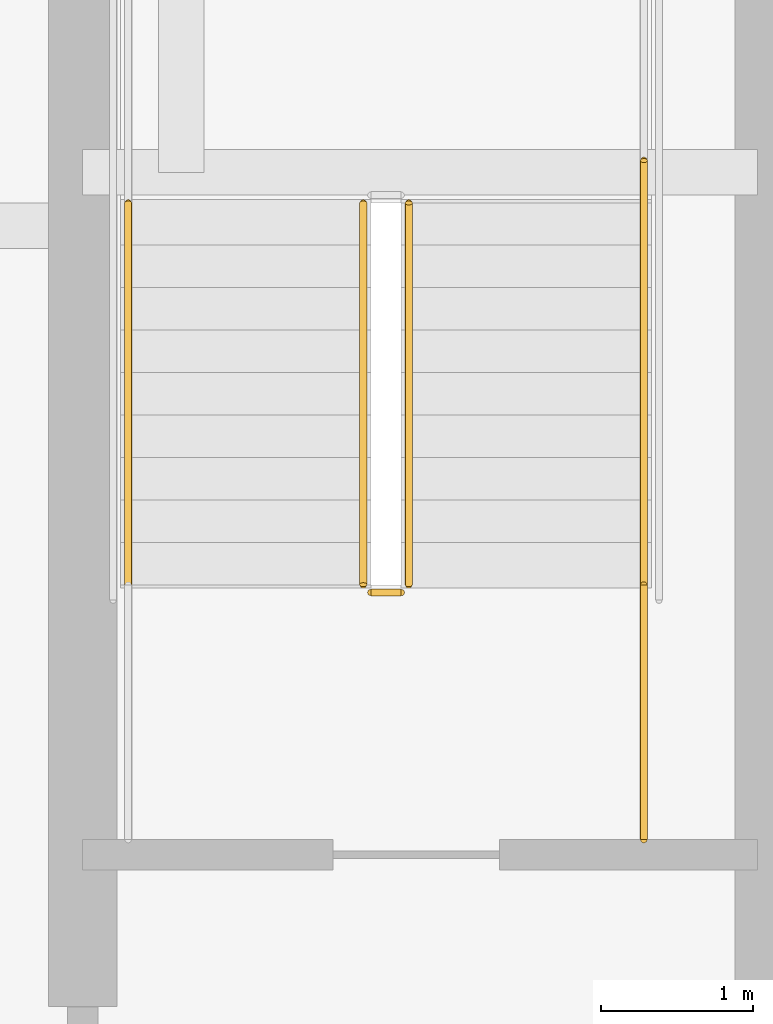
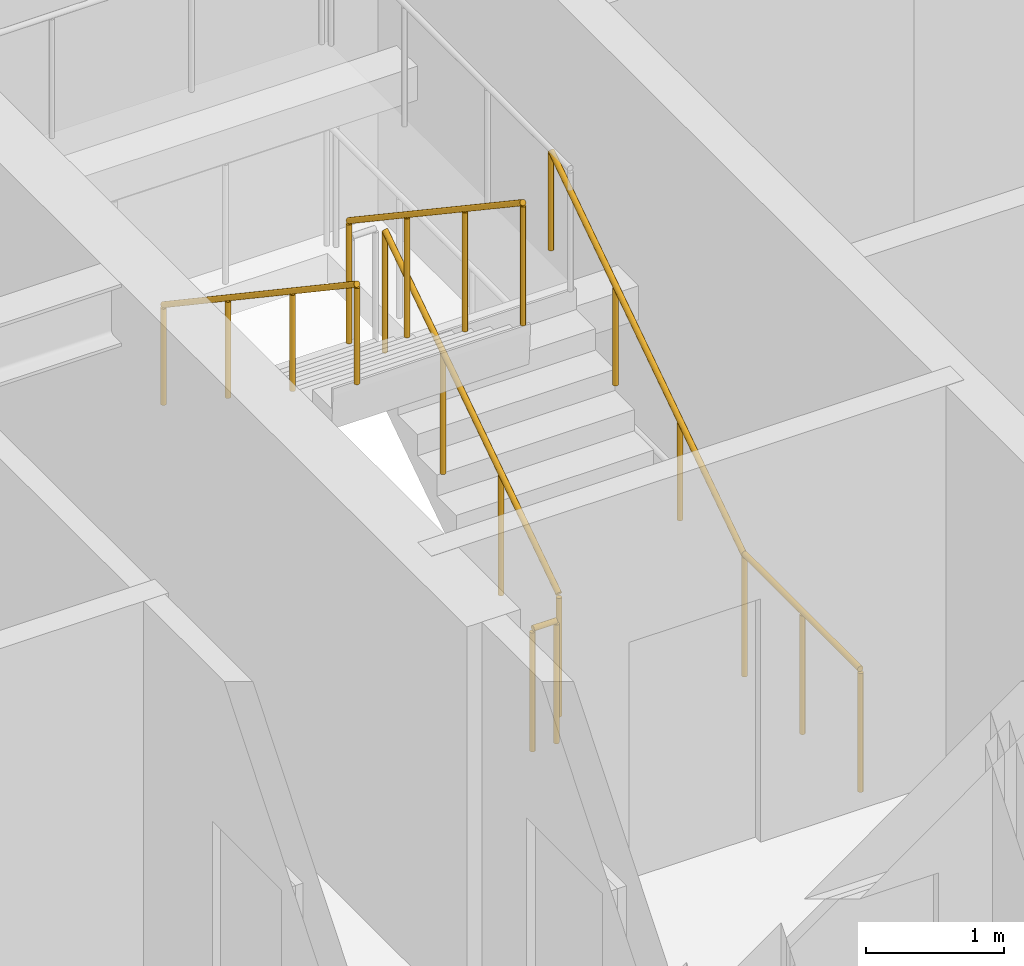
# One storey, part 35 of 39: 6 railings.
"""IFC4 building model written with IfcOpenShell, lengths in metres."""

from ifc_helpers import new_model, si_unit, direction, frame, origin, origin_2d, place, context, subcontext, project, spatial, circle, extrude, material, type_object, element, save


model = new_model("IFC4")

# Units and contexts
model_context = context("Model", 3, precision=1e-05, world=origin(), true_north=direction((0.0, 1.0)))
body_context = subcontext(model_context, "Body", "Model", "MODEL_VIEW")
ifc_project = project(units=[si_unit("LENGTHUNIT", "METRE"), si_unit("AREAUNIT", "SQUARE_METRE"), si_unit("VOLUMEUNIT", "CUBIC_METRE"), si_unit("PLANEANGLEUNIT", "RADIAN"), si_unit("MASSUNIT", "GRAM", prefix="KILO")], contexts=[model_context])

# Site, building, storey
site_placement = place(None, origin())
site = spatial("IfcSite", under=ifc_project, at=site_placement, CompositionType="ELEMENT")
building_placement = place(site_placement, origin())
building = spatial("IfcBuilding", under=site, at=building_placement, Name="Serunith Strait Residences", CompositionType="ELEMENT")
storey_placement = place(building_placement, frame((0.0, 0.0, 49.199951171875)))
storey = spatial("IfcBuildingStorey", under=building, at=storey_placement, Name="L11", CompositionType="ELEMENT", Elevation=49.199951171875)

# Railings
ifc_material = material(Name="Brushed stainless steel 316L", Category="steel")
railing_type_1 = type_object("IfcRailingType", Name="RLG-STAIR-GUARD", PredefinedType="BALUSTRADE", material=ifc_material)
railing_1_placement = place(storey_placement, frame((25.550048828125, 27.030029296875, 0.1875)))
element("IfcRailing", 1, at=railing_1_placement, inside=storey, type_object=railing_type_1, Name="L11 ST-1 stair guard 1", PredefinedType="BALUSTRADE", context=body_context, shape_type="SweptSolid", body=[
    extrude(circle(Radius=0.02392578125, at=origin_2d()), frame((0.0, 0.001708984375, 1.0771484375), z_axis=(0.0, 0.830909170722, 0.55640807867), x_axis=(-1.0, 0.0, 0.0)), (0.0, 0.0, 1.0), 3.02880859375),
    extrude(circle(Radius=0.02099609375, at=origin_2d()), origin(), (0.0, 0.0, 1.0), 1.050048828125),
    extrude(circle(Radius=0.02099609375, at=origin_2d()), frame((0.0, 0.840087890625, 0.5625)), (0.0, 0.0, 1.0), 1.050048828125),
    extrude(circle(Radius=0.02099609375, at=origin_2d()), frame((0.0, 1.679931640625, 1.125)), (0.0, 0.0, 1.0), 1.050048828125),
    extrude(circle(Radius=0.02099609375, at=origin_2d()), frame((0.0, 2.52001953125, 1.6875)), (0.0, 0.0, 1.0), 1.050048828125),
])
railing_2_placement = place(storey_placement, frame((25.25, 29.550048828125, 2.0625)))
element("IfcRailing", 2, at=railing_2_placement, inside=storey, type_object=railing_type_1, Name="L11 ST-1 stair guard 6", PredefinedType="BALUSTRADE", context=body_context, shape_type="SweptSolid", body=[
    extrude(circle(Radius=0.02392578125, at=origin_2d()), frame((0.0, -0.001708984375, 1.0771484375), z_axis=(0.0, -0.830909170722, 0.55640807867), x_axis=(1.0, 0.0, 0.0)), (0.0, 0.0, 1.0), 3.02880859375),
    extrude(circle(Radius=0.02099609375, at=origin_2d()), origin(), (0.0, 0.0, 1.0), 1.050048828125),
    extrude(circle(Radius=0.02099609375, at=origin_2d()), frame((0.0, -0.840087890625, 0.5625)), (0.0, 0.0, 1.0), 1.050048828125),
    extrude(circle(Radius=0.02099609375, at=origin_2d()), frame((0.0, -1.679931640625, 1.125)), (0.0, 0.0, 1.0), 1.050048828125),
    extrude(circle(Radius=0.02099609375, at=origin_2d()), frame((0.0, -2.52001953125, 1.6875)), (0.0, 0.0, 1.0), 1.050048828125),
])
railing_3_placement = place(storey_placement, frame((25.5, 26.97998046875, 0.0)))
element("IfcRailing", 3, at=railing_3_placement, inside=storey, type_object=railing_type_1, Name="L11 ST-1 stair guard 7", PredefinedType="BALUSTRADE", context=body_context, shape_type="SweptSolid", body=[
    extrude(circle(Radius=0.02392578125, at=origin_2d()), frame((-0.001953125, 0.0, 1.076171875), z_axis=(-1.0, 0.0, 0.0), x_axis=(0.0, -1.0, 0.0)), (0.0, 0.0, 1.0), 0.196044921875),
    extrude(circle(Radius=0.02099609375, at=origin_2d()), origin(), (0.0, 0.0, 1.0), 1.050048828125),
    extrude(circle(Radius=0.02099609375, at=origin_2d()), frame((-0.199951171875, 0.0, 0.0)), (0.0, 0.0, 1.0), 1.050048828125),
])
railing_4_placement = place(storey_placement, frame((27.10009765625, 25.35009765625, 0.0)))
element("IfcRailing", 4, at=railing_4_placement, inside=storey, type_object=railing_type_1, Name="L11 ST-1 stair guard 8", PredefinedType="BALUSTRADE", context=body_context, shape_type="SweptSolid", body=[
    extrude(circle(Radius=0.02392578125, at=origin_2d()), frame((0.0, 0.001953125, 1.076171875), z_axis=(0.0, 1.0, 0.0), x_axis=(-1.0, 0.0, 0.0)), (0.0, 0.0, 1.0), 1.676025390625),
    extrude(circle(Radius=0.02099609375, at=origin_2d()), origin(), (0.0, 0.0, 1.0), 1.050048828125),
    extrude(circle(Radius=0.02099609375, at=origin_2d()), frame((0.0, 0.83984375, 0.0)), (0.0, 0.0, 1.0), 1.050048828125),
    extrude(circle(Radius=0.02099609375, at=origin_2d()), frame((0.0, 1.679931640625, 0.0)), (0.0, 0.0, 1.0), 1.050048828125),
])
railing_type_2 = type_object("IfcRailingType", Name="RLG-STAIR-HR", PredefinedType="HANDRAIL", material=ifc_material)
railing_5_placement = place(storey_placement, frame((27.10009765625, 27.030029296875, 0.1875)))
element("IfcRailing", 5, at=railing_5_placement, inside=storey, type_object=railing_type_2, Name="L11 ST-1 stair handrail 1", PredefinedType="HANDRAIL", context=body_context, shape_type="SweptSolid", body=[
    extrude(circle(Radius=0.02392578125, at=origin_2d()), frame((0.0, 0.001708984375, 0.876953125), z_axis=(0.0, 0.830208209119, 0.557453432594), x_axis=(-1.0, 0.0, 0.0)), (0.0, 0.0, 1.0), 3.36865234375),
    extrude(circle(Radius=0.02099609375, at=origin_2d()), origin(), (0.0, 0.0, 1.0), 0.849853515625),
    extrude(circle(Radius=0.02099609375, at=origin_2d()), frame((0.0, 0.933349609375, 0.626708984375)), (0.0, 0.0, 1.0), 0.849853515625),
    extrude(circle(Radius=0.02099609375, at=origin_2d()), frame((0.0, 1.86669921875, 1.25341796875)), (0.0, 0.0, 1.0), 0.849853515625),
    extrude(circle(Radius=0.02099609375, at=origin_2d()), frame((0.0, 2.800048828125, 1.880126953125)), (0.0, 0.0, 1.0), 0.849853515625),
])
railing_6_placement = place(storey_placement, frame((23.699951171875, 29.550048828125, 2.0625)))
element("IfcRailing", 6, at=railing_6_placement, inside=storey, type_object=railing_type_2, Name="L11 ST-1 stair handrail 2", PredefinedType="HANDRAIL", context=body_context, shape_type="SweptSolid", body=[
    extrude(circle(Radius=0.02392578125, at=origin_2d()), frame((0.0, -0.001708984375, 0.876953125), z_axis=(0.0, -0.830208209119, 0.557453432594), x_axis=(1.0, 0.0, 0.0)), (0.0, 0.0, 1.0), 3.36865234375),
    extrude(circle(Radius=0.02099609375, at=origin_2d()), origin(), (0.0, 0.0, 1.0), 0.849853515625),
    extrude(circle(Radius=0.02099609375, at=origin_2d()), frame((0.0, -0.933349609375, 0.626708984375)), (0.0, 0.0, 1.0), 0.849853515625),
    extrude(circle(Radius=0.02099609375, at=origin_2d()), frame((0.0, -1.86669921875, 1.25341796875)), (0.0, 0.0, 1.0), 0.849853515625),
    extrude(circle(Radius=0.02099609375, at=origin_2d()), frame((0.0, -2.800048828125, 1.880126953125)), (0.0, 0.0, 1.0), 0.849853515625),
])

save(model, "model.ifc")
